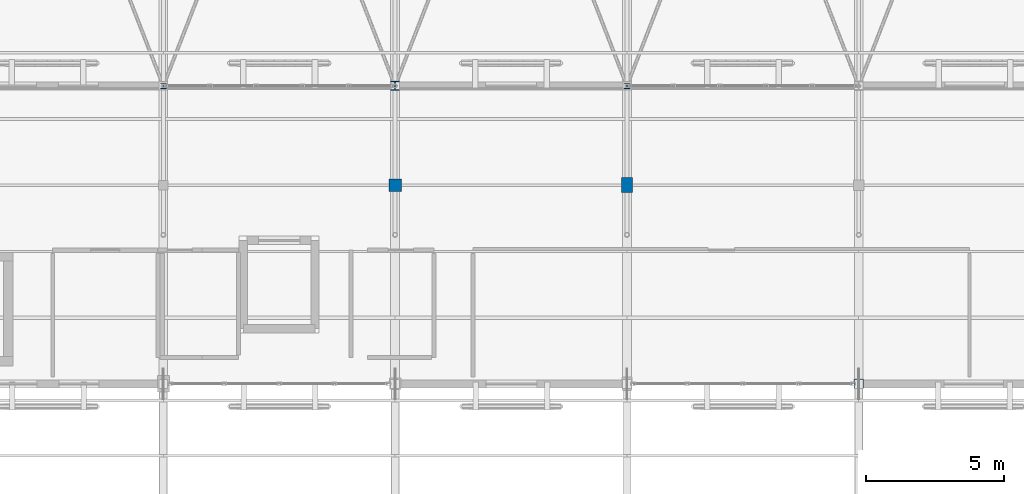
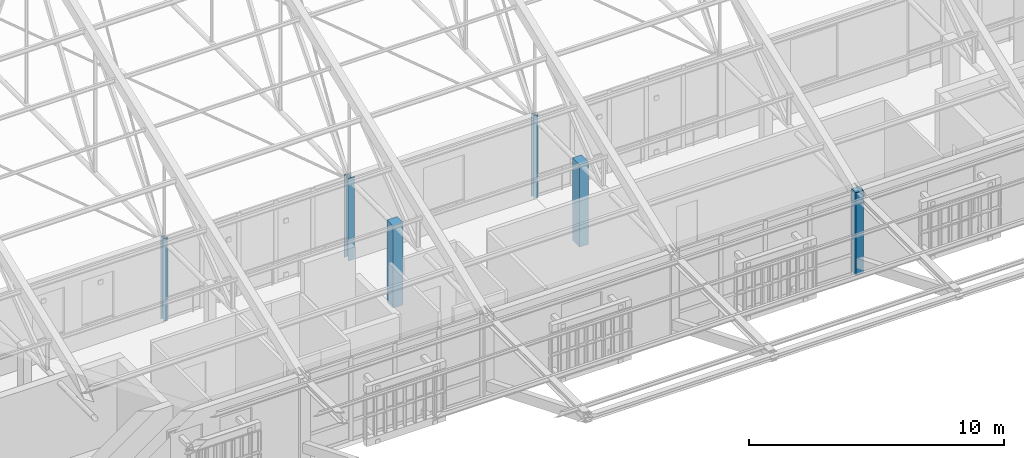
# One storey, part 11 of 217: 6 columns.
"""IFC4 building model written with IfcOpenShell, lengths in metres."""

from ifc_helpers import new_model, si_unit, direction, frame, origin, origin_2d, place, context, subcontext, project, spatial, rectangle, i_section, extrude, material, material_profile, profile_set, type_object, element, save


model = new_model("IFC4")

# Units and contexts
model_context = context("Model", 3, precision=1e-05, world=origin(), true_north=direction((0.0, 1.0)))
body_context = subcontext(model_context, "Body", "Model", "MODEL_VIEW")
ifc_project = project(units=[si_unit("LENGTHUNIT", "METRE"), si_unit("AREAUNIT", "SQUARE_METRE"), si_unit("VOLUMEUNIT", "CUBIC_METRE"), si_unit("PLANEANGLEUNIT", "RADIAN"), si_unit("MASSUNIT", "GRAM", prefix="KILO")], contexts=[model_context])

# Site, building, storey
site_placement = place(None, origin())
site = spatial("IfcSite", under=ifc_project, at=site_placement, CompositionType="ELEMENT")
building_placement = place(site_placement, origin())
building = spatial("IfcBuilding", under=site, at=building_placement, Name="Mazaris Harbour Polytechnic", CompositionType="ELEMENT")
storey_placement = place(building_placement, frame((0.0, 0.0, 9.60009765625)))
storey = spatial("IfcBuildingStorey", under=building, at=storey_placement, Name="L02", CompositionType="ELEMENT", Elevation=9.60009765625)

# Columns
ifc_material_1 = material(Name="Glulam GL28h", Category="wood")
ifc_material_profile_1 = material_profile(ifc_material_1, rectangle(XDim=0.340087890625, YDim=0.340087890625, at=origin_2d()), Name="RECT340x340")
ifc_profile_set_1 = profile_set([ifc_material_profile_1], Name="Glulam GL28h")
column_type_1 = type_object("IfcColumnType", Name="Glulam Column 340x340 Exterior", PredefinedType="COLUMN", material=ifc_profile_set_1)
column_1_placement = place(storey_placement, frame((96.0, 75.60009765625, 0.0), z_axis=(0.0, 0.0, 1.0), x_axis=(1.0, 0.0, 0.0)))
element("IfcColumn", 1, at=column_1_placement, inside=storey, type_object=column_type_1, Name="V1 L02 Column 168", PredefinedType="COLUMN", context=body_context, shape_type="SweptSolid", body=[
    extrude(rectangle(XDim=0.340087890625, YDim=0.340087890625, at=origin_2d()), origin(), (0.0, 0.0, 1.0), 3.9599609375),
])
ifc_material_2 = material(Name="Glulam GL28h", Category="wood")
ifc_material_profile_2 = material_profile(ifc_material_2, rectangle(XDim=0.39990234375, YDim=0.5400390625, at=origin_2d()), Name="RECT400x540")
ifc_profile_set_2 = profile_set([ifc_material_profile_2], Name="Glulam GL28h")
column_type_2 = type_object("IfcColumnType", Name="Glulam Column 400x540", PredefinedType="COLUMN", material=ifc_profile_set_2)
column_2_placement = place(storey_placement, frame((87.60009765625, 82.800048828125, 0.0), z_axis=(0.0, 0.0, 1.0), x_axis=(1.0, 0.0, 0.0)))
element("IfcColumn", 2, at=column_2_placement, inside=storey, type_object=column_type_2, Name="V1 L02 Column 166", PredefinedType="COLUMN", context=body_context, shape_type="SweptSolid", body=[
    extrude(rectangle(XDim=0.39990234375, YDim=0.5400390625, at=origin_2d()), origin(), (0.0, 0.0, 1.0), 3.9599609375),
])
ifc_material_3 = material(Name="Glulam GL28h", Category="wood")
ifc_material_profile_3 = material_profile(ifc_material_3, rectangle(XDim=0.4599609375, YDim=0.4599609375, at=origin_2d()), Name="RECT460x460")
ifc_profile_set_3 = profile_set([ifc_material_profile_3], Name="Glulam GL28h")
column_type_3 = type_object("IfcColumnType", Name="Glulam Column 460x460", PredefinedType="COLUMN", material=ifc_profile_set_3)
column_3_placement = place(storey_placement, frame((79.199951171875, 82.800048828125, 0.0), z_axis=(0.0, 0.0, 1.0), x_axis=(1.0, 0.0, 0.0)))
element("IfcColumn", 3, at=column_3_placement, inside=storey, type_object=column_type_3, Name="V1 L02 Column 163", PredefinedType="COLUMN", context=body_context, shape_type="SweptSolid", body=[
    extrude(rectangle(XDim=0.4599609375, YDim=0.4599609375, at=origin_2d()), origin(), (0.0, 0.0, 1.0), 3.9599609375),
])
ifc_material_4 = material(Name="Steel S355", Category="steel")
ifc_material_profile_4 = material_profile(ifc_material_4, i_section(OverallWidth=0.199951171875, OverallDepth=0.199951171875, WebThickness=0.009033203125, FlangeThickness=0.014892578125, FilletRadius=0.01806640625, at=origin_2d()), Name="HEB 200")
ifc_profile_set_4 = profile_set([ifc_material_profile_4], Name="Steel S355")
column_type_4 = type_object("IfcColumnType", Name="Steel Column HEB200 Exterior", PredefinedType="COLUMN", material=ifc_profile_set_4)
for number, where, z_axis, x_axis, name in (
    (4, (70.800048828125, 86.39990234375, 0.0), (0.0, 0.0, 1.0), (1.0, 0.0, 0.0), "V1 L02 Column 161"),
    (5, (87.60009765625, 86.39990234375, 0.0), (0.0, 0.0, 1.0), (1.0, 0.0, 0.0), "V1 L02 Column 167"),
):
    element("IfcColumn", number, at=place(storey_placement, frame(where, z_axis=z_axis, x_axis=x_axis)), inside=storey, type_object=column_type_4, Name=name, PredefinedType="COLUMN", context=body_context, shape_type="SweptSolid", body=[
        extrude(i_section(OverallWidth=0.199951171875, OverallDepth=0.199951171875, WebThickness=0.009033203125, FlangeThickness=0.014892578125, FilletRadius=0.01806640625, at=origin_2d()), origin(), (0.0, 0.0, 1.0), 3.9599609375),
    ])
ifc_material_5 = material(Name="Steel S355", Category="steel")
ifc_material_profile_5 = material_profile(ifc_material_5, i_section(OverallWidth=0.300048828125, OverallDepth=0.320068359375, WebThickness=0.011474609375, FlangeThickness=0.0205078125, FilletRadius=0.027099609375, at=origin_2d()), Name="HEB 320")
ifc_profile_set_5 = profile_set([ifc_material_profile_5], Name="Steel S355")
column_type_5 = type_object("IfcColumnType", Name="Steel Column HEB320", PredefinedType="COLUMN", material=ifc_profile_set_5)
column_4_placement = place(storey_placement, frame((79.199951171875, 86.39990234375, 0.0), z_axis=(0.0, 0.0, 1.0), x_axis=(1.0, 0.0, 0.0)))
element("IfcColumn", 6, at=column_4_placement, inside=storey, type_object=column_type_5, Name="V1 L02 Column 164", PredefinedType="COLUMN", context=body_context, shape_type="SweptSolid", body=[
    extrude(i_section(OverallWidth=0.300048828125, OverallDepth=0.320068359375, WebThickness=0.011474609375, FlangeThickness=0.0205078125, FilletRadius=0.027099609375, at=origin_2d()), origin(), (0.0, 0.0, 1.0), 3.9599609375),
])

save(model, "model.ifc")
